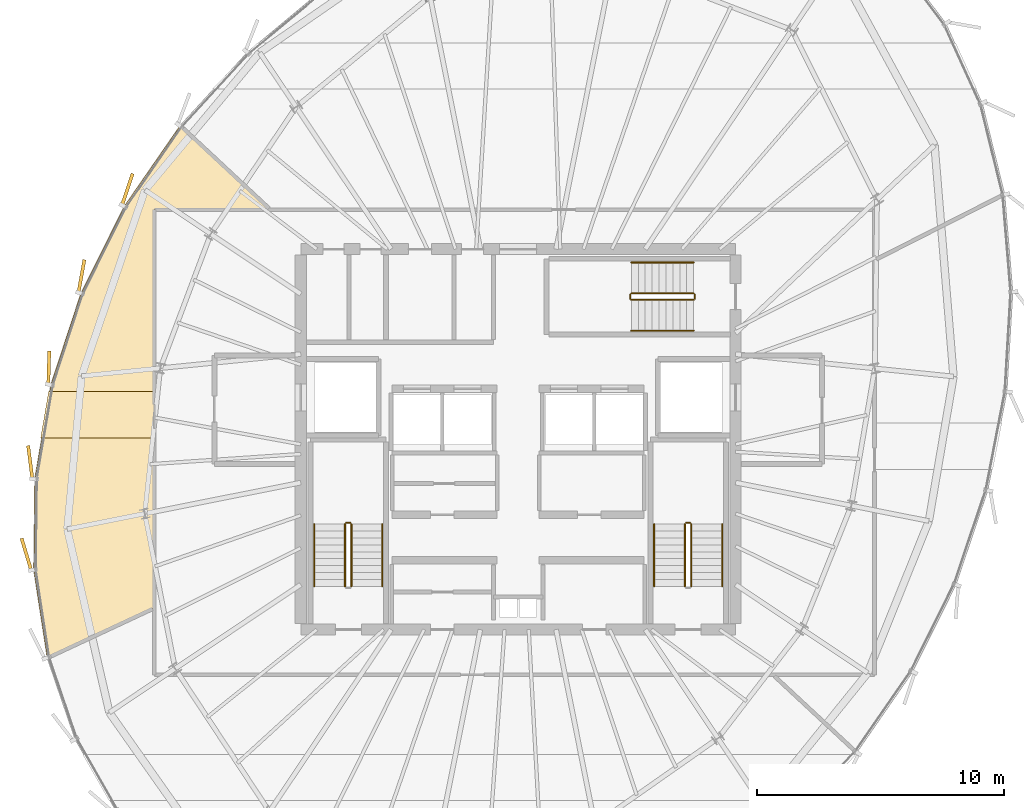
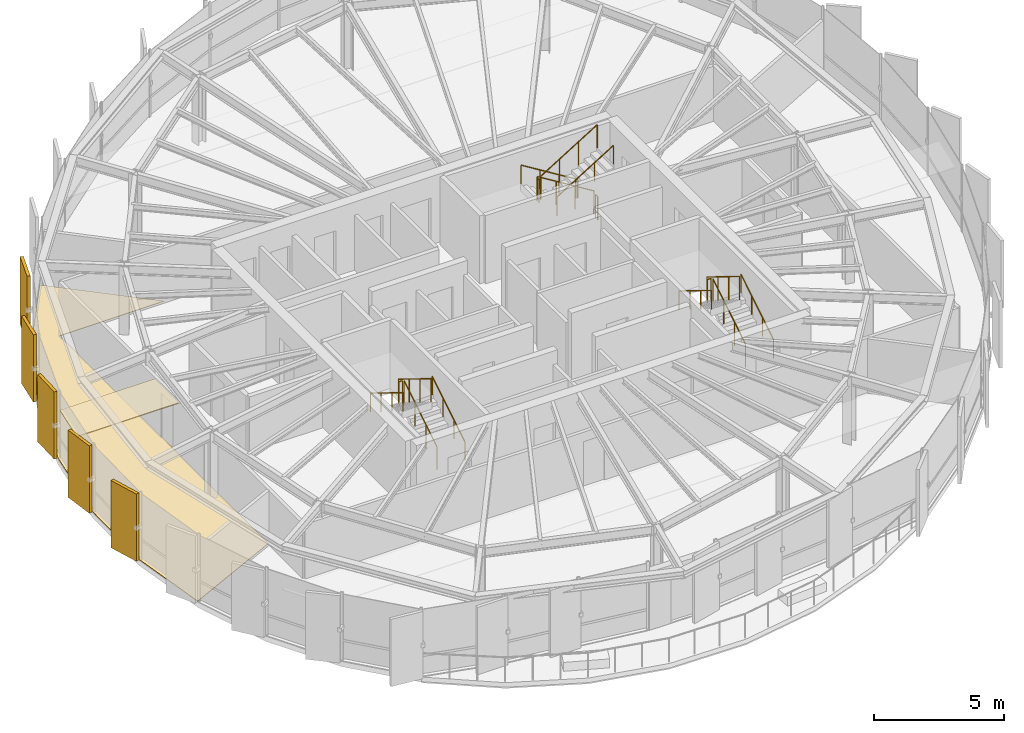
# One storey, part 31 of 32: 16 railings, 7 coverings.
"""IFC4 building model written with IfcOpenShell, lengths in metres."""

from ifc_helpers import new_model, si_unit, direction, frame, origin, origin_2d, place, context, subcontext, project, spatial, polyline, rectangle, circle, outline, extrude, source, transform, mapped, material, layer, layer_set, type_object, element, save


model = new_model("IFC4")

# Units and contexts
model_context = context("Model", 3, precision=1e-05, world=origin(), true_north=direction((0.0, 1.0)))
body_context = subcontext(model_context, "Body", "Model", "MODEL_VIEW")
ifc_project = project(units=[si_unit("LENGTHUNIT", "METRE"), si_unit("AREAUNIT", "SQUARE_METRE"), si_unit("VOLUMEUNIT", "CUBIC_METRE"), si_unit("PLANEANGLEUNIT", "RADIAN"), si_unit("MASSUNIT", "GRAM", prefix="KILO"), si_unit("THERMODYNAMICTEMPERATUREUNIT", "KELVIN")], contexts=[model_context])

# Site, building, storey
site_placement = place(None, origin())
site = spatial("IfcSite", under=ifc_project, at=site_placement, CompositionType="ELEMENT")
building_placement = place(site_placement, origin())
building = spatial("IfcBuilding", under=site, at=building_placement, Name="Kethvar Cultural Tower", CompositionType="ELEMENT")
storey_placement = place(building_placement, frame((0.0, 0.0, 273.25)))
storey = spatial("IfcBuildingStorey", under=building, at=storey_placement, Name="L72", CompositionType="ELEMENT", Elevation=273.25)

# Coverings
ifc_material_1 = material(Name="Acoustic Mineral Fibre Ceiling")
ifc_layer_1 = layer(ifc_material_1, 0.0400390625, Name="Acoustic Mineral Fibre Ceiling")
ifc_layer_set_1 = layer_set([ifc_layer_1], Name="Acoustic Mineral Fibre Ceiling (40 mm)")
covering_type_1 = type_object("IfcCoveringType", Name="CV-ACOUSTIC-CEIL", PredefinedType="CEILING", material=ifc_layer_set_1)
covering_1_placement = place(storey_placement, frame((0.0, 0.0, 2.449951171875)))
element("IfcCovering", 1, at=covering_1_placement, inside=storey, type_object=covering_type_1, Name="L72 Room 04 Acoustic Ceiling Panel", PredefinedType="CEILING", context=body_context, shape_type="SweptSolid", body=[
    extrude(outline(polyline([(27.789794921875, 29.72900390625), (32.090087890625, 29.72900390625), (32.090087890625, 27.85888671875), (27.470947265625, 27.85888671875), (27.789794921875, 29.72900390625)])), origin(), (0.0, 0.0, 1.0), 0.0400390625),
])
ifc_material_2 = material(Name="Architectural Oak Timber", Category="wood")
ifc_layer_2 = layer(ifc_material_2, 0.02490234375, Name="Architectural Oak Timber", Category="wood")
ifc_layer_set_2 = layer_set([ifc_layer_2], Name="Architectural Oak Timber (25 mm)")
covering_type_2 = type_object("IfcCoveringType", Name="CV-OAK-FLOOR", PredefinedType="FLOORING", material=ifc_layer_set_2)
covering_2_placement = place(storey_placement, origin())
element("IfcCovering", 2, at=covering_2_placement, inside=storey, type_object=covering_type_2, Name="L72 Room 04 Floor Finish", PredefinedType="FLOORING", context=body_context, shape_type="SweptSolid", body=[
    extrude(outline(polyline([(27.1865234375, 22.515869140625), (27.235107421875, 26.237548828125), (27.8779296875, 30.006591796875), (29.095703125, 33.708984375), (30.85205078125, 37.231689453125), (33.095947265625, 40.4755859375), (36.71630859375, 37.1201171875), (32.05078125, 37.105712890625), (32.050048828125, 20.982666015625), (27.73046875, 18.9794921875), (27.1865234375, 22.515869140625)])), origin(), (0.0, 0.0, 1.0), 0.02490234375),
])

# Railings
ifc_material_3 = material(Name="Steel S355J2", Category="steel")
railing_type_1 = type_object("IfcRailingType", Name="RL-STAIR-GUARD", PredefinedType="BALUSTRADE", material=ifc_material_3)
railing_1_placement = place(storey_placement, frame((40.050048828125, 21.85009765625, 0.172607421875)))
element("IfcRailing", 3, at=railing_1_placement, inside=storey, type_object=railing_type_1, Name="L72 ST-01 stair guard 1", PredefinedType="BALUSTRADE", context=body_context, shape_type="SweptSolid", body=[
    extrude(circle(Radius=0.02392578125, at=origin_2d()), frame((0.0, 0.0, 1.09619140625), z_axis=(0.0, 0.851400495292, 0.524516154772), x_axis=(-1.0, 0.0, 0.0)), (0.0, 0.0, 1.0), 2.9599609375),
    extrude(circle(Radius=0.02099609375, at=origin_2d()), origin(), (0.0, 0.0, 1.0), 1.072021484375),
    extrude(circle(Radius=0.02099609375, at=origin_2d()), frame((0.0, 0.840087890625, 0.517578125)), (0.0, 0.0, 1.0), 1.072021484375),
    extrude(circle(Radius=0.02099609375, at=origin_2d()), frame((0.0, 1.679931640625, 1.034912109375)), (0.0, 0.0, 1.0), 1.072021484375),
    extrude(circle(Radius=0.02099609375, at=origin_2d()), frame((0.0, 2.52001953125, 1.552490234375)), (0.0, 0.0, 1.0), 1.072021484375),
])
railing_2_placement = place(storey_placement, frame((40.0, 24.419921875, 1.72509765625)))
element("IfcRailing", 4, at=railing_2_placement, inside=storey, type_object=railing_type_1, Name="L72 ST-01 stair guard 2", PredefinedType="BALUSTRADE", context=body_context, shape_type="SweptSolid", body=[
    extrude(circle(Radius=0.02392578125, at=origin_2d()), frame((0.0, 0.0, 1.09619140625), z_axis=(-1.0, 0.0, 0.0), x_axis=(0.0, -1.0, 0.0)), (0.0, 0.0, 1.0), 0.159912109375),
    extrude(circle(Radius=0.02099609375, at=origin_2d()), origin(), (0.0, 0.0, 1.0), 1.072021484375),
    extrude(circle(Radius=0.02099609375, at=origin_2d()), frame((-0.159912109375, 0.0, 0.0)), (0.0, 0.0, 1.0), 1.072021484375),
])
railing_3_placement = place(storey_placement, frame((39.7900390625, 24.3701171875, 1.8974609375)))
element("IfcRailing", 5, at=railing_3_placement, inside=storey, type_object=railing_type_1, Name="L72 ST-01 stair guard 3", PredefinedType="BALUSTRADE", context=body_context, shape_type="SweptSolid", body=[
    extrude(circle(Radius=0.02392578125, at=origin_2d()), frame((0.0, 0.0, 1.09619140625), z_axis=(0.0, -0.851400495292, 0.524516154772), x_axis=(1.0, 0.0, 0.0)), (0.0, 0.0, 1.0), 2.9599609375),
    extrude(circle(Radius=0.02099609375, at=origin_2d()), origin(), (0.0, 0.0, 1.0), 1.072021484375),
    extrude(circle(Radius=0.02099609375, at=origin_2d()), frame((0.0, -0.840087890625, 0.517578125)), (0.0, 0.0, 1.0), 1.072021484375),
    extrude(circle(Radius=0.02099609375, at=origin_2d()), frame((0.0, -1.679931640625, 1.034912109375)), (0.0, 0.0, 1.0), 1.072021484375),
    extrude(circle(Radius=0.02099609375, at=origin_2d()), frame((0.0, -2.52001953125, 1.552490234375)), (0.0, 0.0, 1.0), 1.072021484375),
])
railing_4_placement = place(storey_placement, frame((53.81005859375, 21.85009765625, 0.172607421875)))
element("IfcRailing", 6, at=railing_4_placement, inside=storey, type_object=railing_type_1, Name="L72 ST-02 stair guard 1", PredefinedType="BALUSTRADE", context=body_context, shape_type="SweptSolid", body=[
    extrude(circle(Radius=0.02392578125, at=origin_2d()), frame((0.0, 0.0, 1.09619140625), z_axis=(0.0, 0.851400495292, 0.524516154772), x_axis=(-1.0, 0.0, 0.0)), (0.0, 0.0, 1.0), 2.9599609375),
    extrude(circle(Radius=0.02099609375, at=origin_2d()), origin(), (0.0, 0.0, 1.0), 1.072021484375),
    extrude(circle(Radius=0.02099609375, at=origin_2d()), frame((0.0, 0.840087890625, 0.517578125)), (0.0, 0.0, 1.0), 1.072021484375),
    extrude(circle(Radius=0.02099609375, at=origin_2d()), frame((0.0, 1.679931640625, 1.034912109375)), (0.0, 0.0, 1.0), 1.072021484375),
    extrude(circle(Radius=0.02099609375, at=origin_2d()), frame((0.0, 2.52001953125, 1.552490234375)), (0.0, 0.0, 1.0), 1.072021484375),
])
railing_5_placement = place(storey_placement, frame((53.760009765625, 24.419921875, 1.72509765625)))
element("IfcRailing", 7, at=railing_5_placement, inside=storey, type_object=railing_type_1, Name="L72 ST-02 stair guard 2", PredefinedType="BALUSTRADE", context=body_context, shape_type="SweptSolid", body=[
    extrude(circle(Radius=0.02392578125, at=origin_2d()), frame((0.0, 0.0, 1.09619140625), z_axis=(-1.0, 0.0, 0.0), x_axis=(0.0, -1.0, 0.0)), (0.0, 0.0, 1.0), 0.159912109375),
    extrude(circle(Radius=0.02099609375, at=origin_2d()), origin(), (0.0, 0.0, 1.0), 1.072021484375),
    extrude(circle(Radius=0.02099609375, at=origin_2d()), frame((-0.159912109375, 0.0, 0.0)), (0.0, 0.0, 1.0), 1.072021484375),
])
railing_6_placement = place(storey_placement, frame((53.550048828125, 24.3701171875, 1.8974609375)))
element("IfcRailing", 8, at=railing_6_placement, inside=storey, type_object=railing_type_1, Name="L72 ST-02 stair guard 3", PredefinedType="BALUSTRADE", context=body_context, shape_type="SweptSolid", body=[
    extrude(circle(Radius=0.02392578125, at=origin_2d()), frame((0.0, 0.0, 1.09619140625), z_axis=(0.0, -0.851400495292, 0.524516154772), x_axis=(1.0, 0.0, 0.0)), (0.0, 0.0, 1.0), 2.9599609375),
    extrude(circle(Radius=0.02099609375, at=origin_2d()), origin(), (0.0, 0.0, 1.0), 1.072021484375),
    extrude(circle(Radius=0.02099609375, at=origin_2d()), frame((0.0, -0.840087890625, 0.517578125)), (0.0, 0.0, 1.0), 1.072021484375),
    extrude(circle(Radius=0.02099609375, at=origin_2d()), frame((0.0, -1.679931640625, 1.034912109375)), (0.0, 0.0, 1.0), 1.072021484375),
    extrude(circle(Radius=0.02099609375, at=origin_2d()), frame((0.0, -2.52001953125, 1.552490234375)), (0.0, 0.0, 1.0), 1.072021484375),
])
railing_7_placement = place(storey_placement, frame((53.89990234375, 33.7099609375, 0.172607421875)))
element("IfcRailing", 9, at=railing_7_placement, inside=storey, type_object=railing_type_1, Name="L72 ST-03 stair guard 1", PredefinedType="BALUSTRADE", context=body_context, shape_type="SweptSolid", body=[
    extrude(circle(Radius=0.02392578125, at=origin_2d()), frame((0.0, 0.0, 1.09619140625), z_axis=(-0.851400495292, 0.0, 0.524516154772), x_axis=(0.0, -1.0, 0.0)), (0.0, 0.0, 1.0), 2.9599609375),
    extrude(circle(Radius=0.02099609375, at=origin_2d()), origin(), (0.0, 0.0, 1.0), 1.072021484375),
    extrude(circle(Radius=0.02099609375, at=origin_2d()), frame((-0.840087890625, 0.0, 0.517578125)), (0.0, 0.0, 1.0), 1.072021484375),
    extrude(circle(Radius=0.02099609375, at=origin_2d()), frame((-1.679931640625, 0.0, 1.034912109375)), (0.0, 0.0, 1.0), 1.072021484375),
    extrude(circle(Radius=0.02099609375, at=origin_2d()), frame((-2.52001953125, 0.0, 1.552490234375)), (0.0, 0.0, 1.0), 1.072021484375),
])
railing_8_placement = place(storey_placement, frame((51.330078125, 33.659912109375, 1.72509765625)))
element("IfcRailing", 10, at=railing_8_placement, inside=storey, type_object=railing_type_1, Name="L72 ST-03 stair guard 2", PredefinedType="BALUSTRADE", context=body_context, shape_type="SweptSolid", body=[
    extrude(circle(Radius=0.02392578125, at=origin_2d()), frame((0.0, 0.0, 1.09619140625), z_axis=(0.0, -1.0, 0.0), x_axis=(1.0, 0.0, 0.0)), (0.0, 0.0, 1.0), 0.159912109375),
    extrude(circle(Radius=0.02099609375, at=origin_2d()), origin(), (0.0, 0.0, 1.0), 1.072021484375),
    extrude(circle(Radius=0.02099609375, at=origin_2d()), frame((0.0, -0.159912109375, 0.0)), (0.0, 0.0, 1.0), 1.072021484375),
])
railing_9_placement = place(storey_placement, frame((51.3798828125, 33.449951171875, 1.8974609375)))
element("IfcRailing", 11, at=railing_9_placement, inside=storey, type_object=railing_type_1, Name="L72 ST-03 stair guard 3", PredefinedType="BALUSTRADE", context=body_context, shape_type="SweptSolid", body=[
    extrude(circle(Radius=0.02392578125, at=origin_2d()), frame((0.0, 0.0, 1.09619140625), z_axis=(0.851400495292, 0.0, 0.524516154772), x_axis=(0.0, 1.0, 0.0)), (0.0, 0.0, 1.0), 2.9599609375),
    extrude(circle(Radius=0.02099609375, at=origin_2d()), origin(), (0.0, 0.0, 1.0), 1.072021484375),
    extrude(circle(Radius=0.02099609375, at=origin_2d()), frame((0.840087890625, 0.0, 0.517578125)), (0.0, 0.0, 1.0), 1.072021484375),
    extrude(circle(Radius=0.02099609375, at=origin_2d()), frame((1.679931640625, 0.0, 1.034912109375)), (0.0, 0.0, 1.0), 1.072021484375),
    extrude(circle(Radius=0.02099609375, at=origin_2d()), frame((2.52001953125, 0.0, 1.552490234375)), (0.0, 0.0, 1.0), 1.072021484375),
])
railing_10_placement = place(storey_placement, frame((53.949951171875, 33.659912109375, 0.0)))
element("IfcRailing", 12, at=railing_10_placement, inside=storey, type_object=railing_type_1, Name="L72 ST-03 stair guard 4", PredefinedType="BALUSTRADE", context=body_context, shape_type="SweptSolid", body=[
    extrude(circle(Radius=0.02392578125, at=origin_2d()), frame((0.0, 0.0, 1.09619140625), z_axis=(0.0, -1.0, 0.0), x_axis=(1.0, 0.0, 0.0)), (0.0, 0.0, 1.0), 0.159912109375),
    extrude(circle(Radius=0.02099609375, at=origin_2d()), origin(), (0.0, 0.0, 1.0), 1.072021484375),
    extrude(circle(Radius=0.02099609375, at=origin_2d()), frame((0.0, -0.159912109375, 0.0)), (0.0, 0.0, 1.0), 1.072021484375),
])
railing_type_2 = type_object("IfcRailingType", Name="RL-STAIR-HANDRAIL", PredefinedType="HANDRAIL", material=ifc_material_3)
railing_11_placement = place(storey_placement, frame((41.300048828125, 21.85009765625, 0.172607421875)))
element("IfcRailing", 13, at=railing_11_placement, inside=storey, type_object=railing_type_2, Name="L72 ST-01 stair handrail 1", PredefinedType="HANDRAIL", context=body_context, shape_type="SweptSolid", body=[
    extrude(circle(Radius=0.02392578125, at=origin_2d()), frame((0.0, 0.0, 0.8759765625), z_axis=(0.0, 0.851400495292, 0.524516154772), x_axis=(-1.0, 0.0, 0.0)), (0.0, 0.0, 1.0), 2.9599609375),
    extrude(circle(Radius=0.02099609375, at=origin_2d()), origin(), (0.0, 0.0, 1.0), 0.851806640625),
    extrude(circle(Radius=0.02099609375, at=origin_2d()), frame((0.0, 0.840087890625, 0.517578125)), (0.0, 0.0, 1.0), 0.851806640625),
    extrude(circle(Radius=0.02099609375, at=origin_2d()), frame((0.0, 1.679931640625, 1.034912109375)), (0.0, 0.0, 1.0), 0.851806640625),
    extrude(circle(Radius=0.02099609375, at=origin_2d()), frame((0.0, 2.52001953125, 1.552490234375)), (0.0, 0.0, 1.0), 0.851806640625),
])
railing_12_placement = place(storey_placement, frame((38.5400390625, 24.3701171875, 1.8974609375)))
element("IfcRailing", 14, at=railing_12_placement, inside=storey, type_object=railing_type_2, Name="L72 ST-01 stair handrail 2", PredefinedType="HANDRAIL", context=body_context, shape_type="SweptSolid", body=[
    extrude(circle(Radius=0.02392578125, at=origin_2d()), frame((0.0, 0.0, 0.8759765625), z_axis=(0.0, -0.851400495292, 0.524516154772), x_axis=(1.0, 0.0, 0.0)), (0.0, 0.0, 1.0), 2.9599609375),
    extrude(circle(Radius=0.02099609375, at=origin_2d()), origin(), (0.0, 0.0, 1.0), 0.851806640625),
    extrude(circle(Radius=0.02099609375, at=origin_2d()), frame((0.0, -0.840087890625, 0.517578125)), (0.0, 0.0, 1.0), 0.851806640625),
    extrude(circle(Radius=0.02099609375, at=origin_2d()), frame((0.0, -1.679931640625, 1.034912109375)), (0.0, 0.0, 1.0), 0.851806640625),
    extrude(circle(Radius=0.02099609375, at=origin_2d()), frame((0.0, -2.52001953125, 1.552490234375)), (0.0, 0.0, 1.0), 0.851806640625),
])
railing_13_placement = place(storey_placement, frame((55.06005859375, 21.85009765625, 0.172607421875)))
element("IfcRailing", 15, at=railing_13_placement, inside=storey, type_object=railing_type_2, Name="L72 ST-02 stair handrail 1", PredefinedType="HANDRAIL", context=body_context, shape_type="SweptSolid", body=[
    extrude(circle(Radius=0.02392578125, at=origin_2d()), frame((0.0, 0.0, 0.8759765625), z_axis=(0.0, 0.851400495292, 0.524516154772), x_axis=(-1.0, 0.0, 0.0)), (0.0, 0.0, 1.0), 2.9599609375),
    extrude(circle(Radius=0.02099609375, at=origin_2d()), origin(), (0.0, 0.0, 1.0), 0.851806640625),
    extrude(circle(Radius=0.02099609375, at=origin_2d()), frame((0.0, 0.840087890625, 0.517578125)), (0.0, 0.0, 1.0), 0.851806640625),
    extrude(circle(Radius=0.02099609375, at=origin_2d()), frame((0.0, 1.679931640625, 1.034912109375)), (0.0, 0.0, 1.0), 0.851806640625),
    extrude(circle(Radius=0.02099609375, at=origin_2d()), frame((0.0, 2.52001953125, 1.552490234375)), (0.0, 0.0, 1.0), 0.851806640625),
])
railing_14_placement = place(storey_placement, frame((52.300048828125, 24.3701171875, 1.8974609375)))
element("IfcRailing", 16, at=railing_14_placement, inside=storey, type_object=railing_type_2, Name="L72 ST-02 stair handrail 2", PredefinedType="HANDRAIL", context=body_context, shape_type="SweptSolid", body=[
    extrude(circle(Radius=0.02392578125, at=origin_2d()), frame((0.0, 0.0, 0.8759765625), z_axis=(0.0, -0.851400495292, 0.524516154772), x_axis=(1.0, 0.0, 0.0)), (0.0, 0.0, 1.0), 2.9599609375),
    extrude(circle(Radius=0.02099609375, at=origin_2d()), origin(), (0.0, 0.0, 1.0), 0.851806640625),
    extrude(circle(Radius=0.02099609375, at=origin_2d()), frame((0.0, -0.840087890625, 0.517578125)), (0.0, 0.0, 1.0), 0.851806640625),
    extrude(circle(Radius=0.02099609375, at=origin_2d()), frame((0.0, -1.679931640625, 1.034912109375)), (0.0, 0.0, 1.0), 0.851806640625),
    extrude(circle(Radius=0.02099609375, at=origin_2d()), frame((0.0, -2.52001953125, 1.552490234375)), (0.0, 0.0, 1.0), 0.851806640625),
])
railing_15_placement = place(storey_placement, frame((53.89990234375, 34.9599609375, 0.172607421875)))
element("IfcRailing", 17, at=railing_15_placement, inside=storey, type_object=railing_type_2, Name="L72 ST-03 stair handrail 1", PredefinedType="HANDRAIL", context=body_context, shape_type="SweptSolid", body=[
    extrude(circle(Radius=0.02392578125, at=origin_2d()), frame((0.0, 0.0, 0.8759765625), z_axis=(-0.851400495292, 0.0, 0.524516154772), x_axis=(0.0, -1.0, 0.0)), (0.0, 0.0, 1.0), 2.9599609375),
    extrude(circle(Radius=0.02099609375, at=origin_2d()), origin(), (0.0, 0.0, 1.0), 0.851806640625),
    extrude(circle(Radius=0.02099609375, at=origin_2d()), frame((-0.840087890625, 0.0, 0.517578125)), (0.0, 0.0, 1.0), 0.851806640625),
    extrude(circle(Radius=0.02099609375, at=origin_2d()), frame((-1.679931640625, 0.0, 1.034912109375)), (0.0, 0.0, 1.0), 0.851806640625),
    extrude(circle(Radius=0.02099609375, at=origin_2d()), frame((-2.52001953125, 0.0, 1.552490234375)), (0.0, 0.0, 1.0), 0.851806640625),
])
railing_16_placement = place(storey_placement, frame((51.3798828125, 32.199951171875, 1.8974609375)))
element("IfcRailing", 18, at=railing_16_placement, inside=storey, type_object=railing_type_2, Name="L72 ST-03 stair handrail 2", PredefinedType="HANDRAIL", context=body_context, shape_type="SweptSolid", body=[
    extrude(circle(Radius=0.02392578125, at=origin_2d()), frame((0.0, 0.0, 0.8759765625), z_axis=(0.851400495292, 0.0, 0.524516154772), x_axis=(0.0, 1.0, 0.0)), (0.0, 0.0, 1.0), 2.9599609375),
    extrude(circle(Radius=0.02099609375, at=origin_2d()), origin(), (0.0, 0.0, 1.0), 0.851806640625),
    extrude(circle(Radius=0.02099609375, at=origin_2d()), frame((0.840087890625, 0.0, 0.517578125)), (0.0, 0.0, 1.0), 0.851806640625),
    extrude(circle(Radius=0.02099609375, at=origin_2d()), frame((1.679931640625, 0.0, 1.034912109375)), (0.0, 0.0, 1.0), 0.851806640625),
    extrude(circle(Radius=0.02099609375, at=origin_2d()), frame((2.52001953125, 0.0, 1.552490234375)), (0.0, 0.0, 1.0), 0.851806640625),
])

# Coverings
ifc_material_4 = material(Name="Extruded Architectural Terracotta", Category="masonry")
ifc_layer_3 = layer(ifc_material_4, 0.135009765625, Name="Extruded Architectural Terracotta", Category="masonry")
ifc_layer_set_3 = layer_set([ifc_layer_3], Name="Extruded Architectural Terracotta (135 mm)")
covering_type_3 = type_object("IfcCoveringType", Name="Terracotta Facade Fin FIN-03", PredefinedType="CLADDING", material=ifc_layer_set_3)
shared_shape = source(origin(), body_context, "Body", "SweptSolid", [
    extrude(rectangle(XDim=1.35009765625, YDim=0.135009765625, at=origin_2d()), origin(), (0.0, 0.0, 1.0), 3.169921875),
])
for number, where, z_axis, x_axis, name in (
    (19, (30.977294921875, 37.917724609375, 0.02001953125), (0.0, 0.0, 1.0), (0.317139137872, 0.948379020872, 0.0), "L72 Vertical Terracotta Fin 2.4"),
    (20, (29.12109375, 34.40576171875, 0.02001953125), (0.0, 0.0, 1.0), (0.17725651216, 0.984164685862, 0.0), "L72 Vertical Terracotta Fin 2.5"),
    (21, (27.79931640625, 30.69970703125, 0.02001953125), (0.0, 0.0, 1.0), (0.029317330072, 0.999570154695, 0.0), "L72 Vertical Terracotta Fin 2.6"),
    (22, (27.04931640625, 26.874267578125, 0.02001953125), (0.0, 0.0, 1.0), (-0.126372104739, 0.991982908695, 0.0), "L72 Vertical Terracotta Fin 3.1"),
    (23, (26.89306640625, 23.148681640625, 0.02001953125), (0.0, 0.0, 1.0), (-0.288029136015, 0.957621645958, 0.0), "L72 Vertical Terracotta Fin 3.2"),
):
    element("IfcCovering", number, at=place(storey_placement, frame(where, z_axis=z_axis, x_axis=x_axis)), inside=storey, type_object=covering_type_3, Name=name, PredefinedType="CLADDING", context=body_context, shape_type="MappedRepresentation", body=[
        mapped(shared_shape, transform((0.0, 0.0, 0.0), scale=1.0)),
    ])

save(model, "model.ifc")
